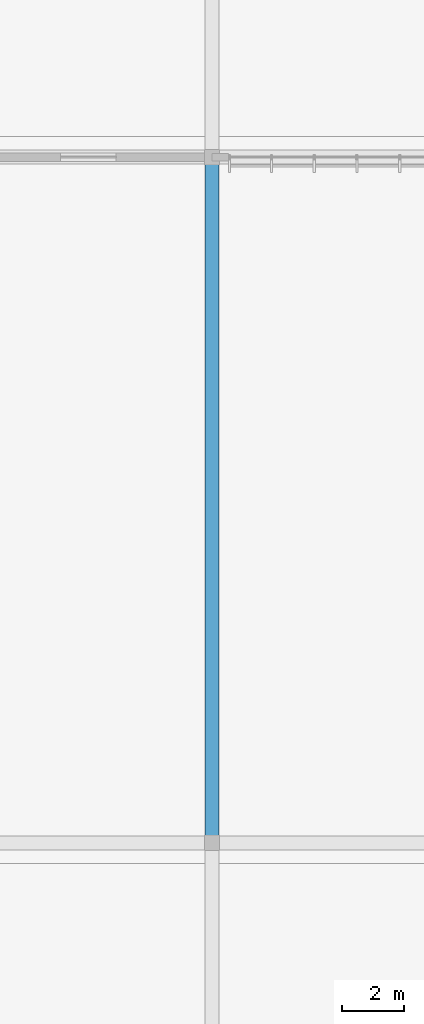
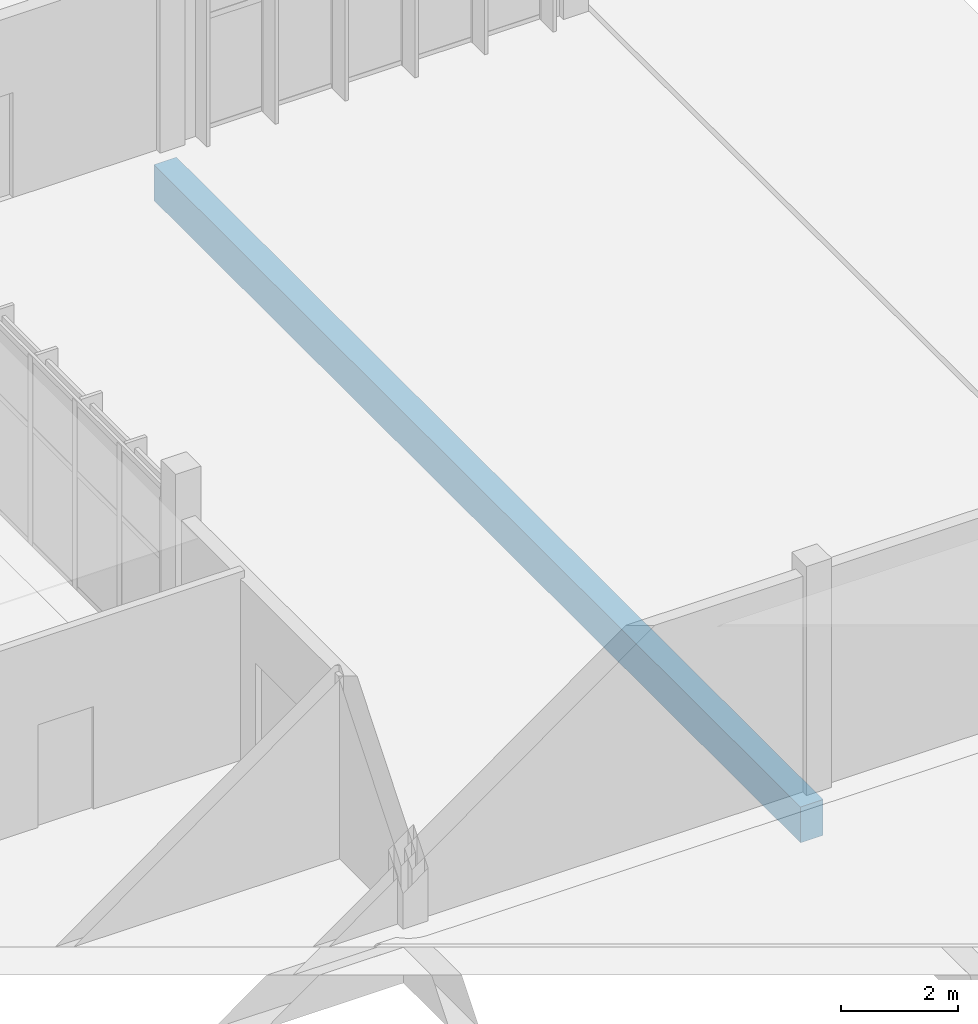
# One storey, part 55 of 151: 1 beam.
"""IFC4 building model written with IfcOpenShell, lengths in metres."""

from ifc_helpers import new_model, si_unit, direction, frame, origin, origin_2d, place, context, subcontext, project, spatial, rectangle, extrude, material, material_profile, profile_set, type_object, element, save


model = new_model("IFC4")

# Units and contexts
model_context = context("Model", 3, precision=1e-05, world=origin(), true_north=direction((0.0, 1.0)))
body_context = subcontext(model_context, "Body", "Model", "MODEL_VIEW")
ifc_project = project(units=[si_unit("LENGTHUNIT", "METRE"), si_unit("AREAUNIT", "SQUARE_METRE"), si_unit("VOLUMEUNIT", "CUBIC_METRE"), si_unit("PLANEANGLEUNIT", "RADIAN"), si_unit("MASSUNIT", "GRAM", prefix="KILO")], contexts=[model_context])

# Site, building, storey
site_placement = place(None, origin())
site = spatial("IfcSite", under=ifc_project, at=site_placement, CompositionType="ELEMENT")
building_placement = place(site_placement, origin())
building = spatial("IfcBuilding", under=site, at=building_placement, Name="Chiffa Square Polytechnic", CompositionType="ELEMENT")
storey_placement = place(building_placement, origin())
storey = spatial("IfcBuildingStorey", under=building, at=storey_placement, Name="L00", CompositionType="ELEMENT", Elevation=0.0)

# Beam
ifc_material = material(Name="Concrete C35/45", Category="concrete")
ifc_material_profile = material_profile(ifc_material, rectangle(XDim=0.449951171875, YDim=0.75, at=origin_2d()), Name="RC 450x750")
ifc_profile_set = profile_set([ifc_material_profile], Name="Concrete C35/45")
beam_type = type_object("IfcBeamType", Name="GB-RC-450X750", PredefinedType="BEAM", material=ifc_profile_set)
beam_placement = place(storey_placement, frame((40.0, 57.60009765625, -0.77490234375), z_axis=(0.0, 1.0, 0.0), x_axis=(-1.0, 0.0, 0.0)))
element("IfcBeam", 1, at=beam_placement, inside=storey, type_object=beam_type, Name="Ground tie beam GB-V6-Y-238", PredefinedType="BEAM", context=body_context, shape_type="SweptSolid", body=[
    extrude(rectangle(XDim=0.449951171875, YDim=0.75, at=origin_2d()), origin(), (0.0, 0.0, 1.0), 22.199951171875),
])

save(model, "model.ifc")
